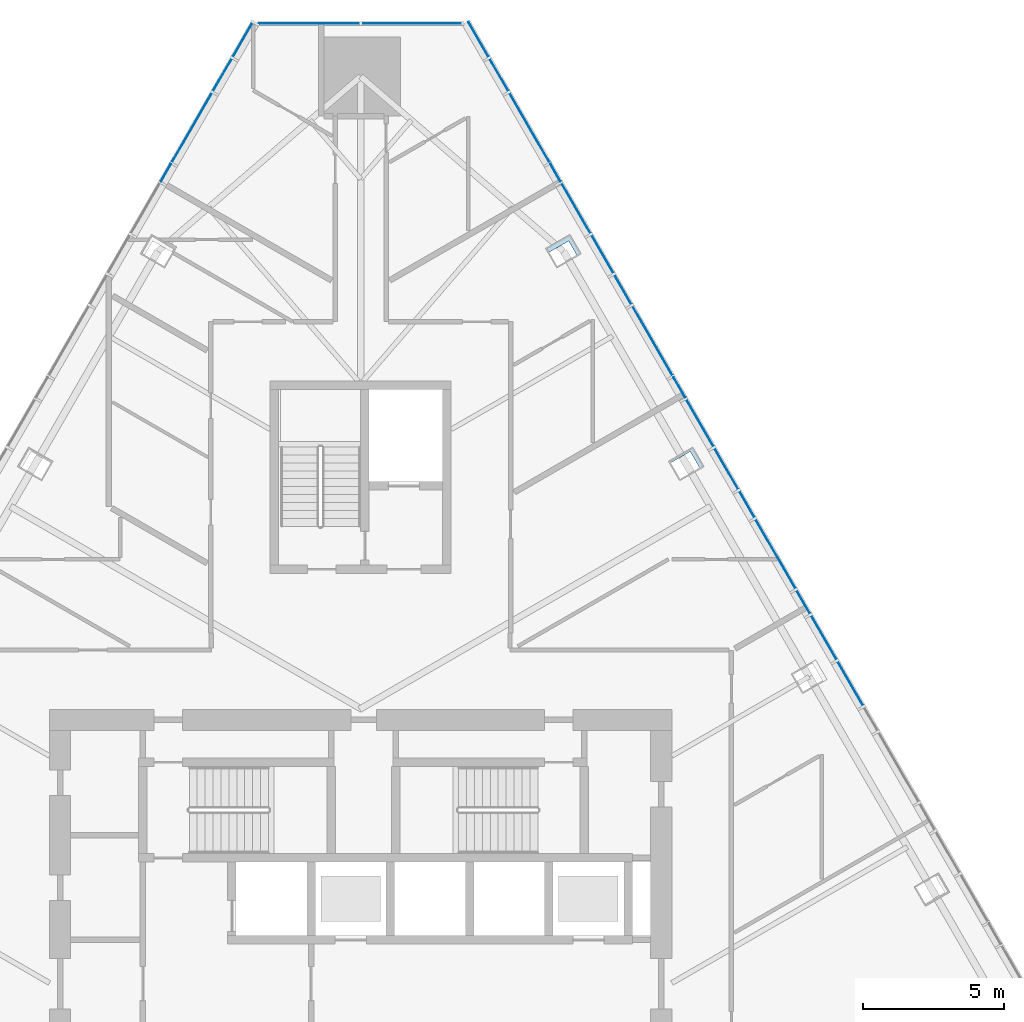
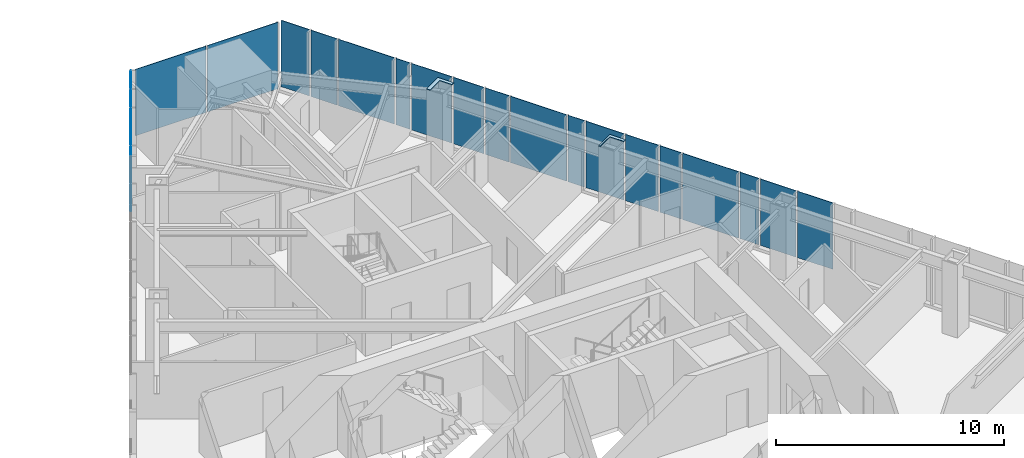
# One storey, part 14 of 24: 24 plates, 3 elements without a shape of their own.
"""IFC4 building model written with IfcOpenShell, lengths in metres."""

from ifc_helpers import new_model, si_unit, direction, frame, origin, place, context, subcontext, project, spatial, polyline, outline, extrude, material, layer, layer_set, type_object, element, aggregate, save


model = new_model("IFC4")

# Units and contexts
model_context = context("Model", 3, precision=1e-05, world=origin(), true_north=direction((0.0, 1.0)))
body_context = subcontext(model_context, "Body", "Model", "MODEL_VIEW")
ifc_project = project(units=[si_unit("LENGTHUNIT", "METRE"), si_unit("AREAUNIT", "SQUARE_METRE"), si_unit("VOLUMEUNIT", "CUBIC_METRE"), si_unit("PLANEANGLEUNIT", "RADIAN"), si_unit("MASSUNIT", "GRAM", prefix="KILO")], contexts=[model_context])

# Site, building, storey
site_placement = place(None, origin())
site = spatial("IfcSite", under=ifc_project, at=site_placement, CompositionType="ELEMENT")
building_placement = place(site_placement, origin())
building = spatial("IfcBuilding", under=site, at=building_placement, Name="Firuza Gate Tower and Library", CompositionType="ELEMENT")
storey_placement = place(building_placement, frame((0.0, 0.0, 194.800048828125)))
storey = spatial("IfcBuildingStorey", under=building, at=storey_placement, Name="L45", CompositionType="ELEMENT", Elevation=194.800048828125)

# Plates
ifc_material_1 = material(Name="Steel S355", Category="steel")
ifc_layer_1 = layer(ifc_material_1, 0.030029296875)
ifc_layer_set_1 = layer_set([ifc_layer_1], Name="Column infill plate 30 Steel S355")
plate_type_1 = type_object("IfcPlateType", Name="Column infill plate 30 Steel S355", PredefinedType="SHEET", material=ifc_layer_set_1)
placement_1 = place(storey_placement, frame((0.0, 0.0, 3.89990234375)))
element("IfcPlate", 1, at=placement_1, inside=storey, type_object=plate_type_1, Name="Infill plate L45:E4", PredefinedType="SHEET", context=body_context, shape_type="SweptSolid", body=[
    extrude(outline(polyline([(85.873291015625, 91.76904296875), (85.91943359375, 91.689453125), (86.647216796875, 92.109619140625), (87.001220703125, 91.49658203125), (87.139404296875, 91.576171875), (86.7392578125, 92.26904296875), (85.873291015625, 91.76904296875)])), origin(), (0.0, 0.0, 1.0), 0.030029296875),
])
element("IfcPlate", 2, at=placement_1, inside=storey, type_object=plate_type_1, Name="Infill plate L45:E5", PredefinedType="SHEET", context=body_context, shape_type="SweptSolid", body=[
    extrude(outline(polyline([(81.530517578125, 99.291259765625), (81.62255859375, 99.1318359375), (82.350341796875, 99.552001953125), (82.658447265625, 99.0185546875), (82.79638671875, 99.098388671875), (82.396484375, 99.791259765625), (81.530517578125, 99.291259765625)])), origin(), (0.0, 0.0, 1.0), 0.030029296875),
])

# Curtain wall, plates
ifc_material_2 = material(Name="Aluminium 6063-T6", Category="aluminium")
ifc_layer_2 = layer(ifc_material_2, 0.14990234375)
ifc_layer_set_2 = layer_set([ifc_layer_2], Name="Corner curtain wall, chamfers")
curtain_wall_type_1 = type_object("IfcCurtainWallType", Name="Corner curtain wall, chamfers", PredefinedType="NOTDEFINED", material=ifc_layer_set_2)
placement_2 = place(storey_placement, origin())
curtain_wall_1 = element("IfcCurtainWall", 3, at=placement_2, inside=storey, type_object=curtain_wall_type_1, Name="CW4 L45 N corner", PredefinedType="NOTDEFINED")
ifc_material_3 = material(Name="Fritted glass", Category="glass")
ifc_layer_3 = layer(ifc_material_3, 0.030029296875)
ifc_layer_set_3 = layer_set([ifc_layer_3], Name="Fritted glass unit, corners")
plate_type_2 = type_object("IfcPlateType", Name="Fritted glass unit, corners", PredefinedType="CURTAIN_PANEL", material=ifc_layer_set_3)
plate_3_placement = place(storey_placement, frame((78.603271484375, 107.2568359375, 0.14990234375), z_axis=(0.0, 1.0, 0.0), x_axis=(-1.0, 0.0, 0.0)))
plate_3 = element("IfcPlate", 4, at=plate_3_placement, type_object=plate_type_2, Name="Glass unit", PredefinedType="CURTAIN_PANEL", context=body_context, shape_type="SweptSolid", body=[
    extrude(outline(polyline([(0.0, 0.0), (3.563232421875, 0.0), (3.563232421875, 3.550048828125), (0.0, 3.550048828125), (0.0, 0.0)])), origin(), (0.0, 0.0, -1.0), 0.030029296875),
])
plate_4_placement = place(storey_placement, frame((74.9599609375, 107.2568359375, 0.14990234375), z_axis=(0.0, 1.0, 0.0), x_axis=(-1.0, 0.0, 0.0)))
plate_4 = element("IfcPlate", 5, at=plate_4_placement, type_object=plate_type_2, Name="Glass unit", PredefinedType="CURTAIN_PANEL", context=body_context, shape_type="SweptSolid", body=[
    extrude(outline(polyline([(0.0, 0.0), (3.563232421875, 0.0), (3.563232421875, 3.550048828125), (0.0, 3.550048828125), (0.0, 0.0)])), origin(), (0.0, 0.0, -1.0), 0.030029296875),
])
aggregate(curtain_wall_1, [plate_3, plate_4])

ifc_material_4 = material(Name="Aluminium 6063-T6", Category="aluminium")
ifc_layer_4 = layer(ifc_material_4, 0.14990234375)
ifc_layer_set_4 = layer_set([ifc_layer_4], Name="Unitised curtain wall, hotel")
curtain_wall_type_2 = type_object("IfcCurtainWallType", Name="Unitised curtain wall, hotel", PredefinedType="NOTDEFINED", material=ifc_layer_set_4)
curtain_wall_2 = element("IfcCurtainWall", 6, at=placement_2, inside=storey, type_object=curtain_wall_type_2, Name="CW2 L45 E face", PredefinedType="NOTDEFINED")
ifc_material_5 = material(Name="Fritted glass", Category="glass")
ifc_layer_5 = layer(ifc_material_5, 0.030029296875)
ifc_layer_set_5 = layer_set([ifc_layer_5], Name="Fritted glass unit, hotel")
plate_type_3 = type_object("IfcPlateType", Name="Fritted glass unit, hotel", PredefinedType="CURTAIN_PANEL", material=ifc_layer_set_5)
plate_5_placement = place(storey_placement, frame((92.769775390625, 83.14404296875, 0.14990234375), z_axis=(0.866038125567, 0.499977964579, 0.0), x_axis=(-0.499977964579, 0.866038125567, 0.0)))
plate_5 = element("IfcPlate", 7, at=plate_5_placement, type_object=plate_type_3, Name="Glass unit", PredefinedType="CURTAIN_PANEL", context=body_context, shape_type="SweptSolid", body=[
    extrude(outline(polyline([(0.0, 0.0), (1.792071165584412, 0.0), (1.792071165584412, 3.550048828125), (0.0, 3.550048828125), (0.0, 0.0)])), origin(), (0.0, 0.0, -1.0), 0.030029296875),
])
plate_6_placement = place(storey_placement, frame((91.833740234375, 84.76513671875, 0.14990234375), z_axis=(0.866038125567, 0.499977964579, 0.0), x_axis=(-0.499977964579, 0.866038125567, 0.0)))
plate_6 = element("IfcPlate", 8, at=plate_6_placement, type_object=plate_type_3, Name="Glass unit", PredefinedType="CURTAIN_PANEL", context=body_context, shape_type="SweptSolid", body=[
    extrude(outline(polyline([(0.0, 0.0), (1.792071165584412, 0.0), (1.792071165584412, 3.550048828125), (0.0, 3.550048828125), (0.0, 0.0)])), origin(), (0.0, 0.0, -1.0), 0.030029296875),
])
plate_7_placement = place(storey_placement, frame((88.35791015625, 90.78564453125, 0.14990234375), z_axis=(0.866010125667, 0.500026461542, 0.0), x_axis=(-0.500026461542, 0.866010125667, 0.0)))
plate_7 = element("IfcPlate", 9, at=plate_7_placement, type_object=plate_type_3, Name="Glass unit", PredefinedType="CURTAIN_PANEL", context=body_context, shape_type="SweptSolid", body=[
    extrude(outline(polyline([(0.0, 0.0), (1.668368736031828, 0.0), (1.668368736031828, 3.550048828125001), (0.0, 3.550048828125001), (0.0, 0.0)])), origin(), (0.0, 0.0, -1.0), 0.030029296875),
])
plate_8_placement = place(storey_placement, frame((87.483642578125, 92.2998046875, 0.14990234375), z_axis=(0.866030650962, 0.499990911512, 0.0), x_axis=(-0.499990911512, 0.866030650962, 0.0)))
plate_8 = element("IfcPlate", 10, at=plate_8_placement, type_object=plate_type_3, Name="Glass unit", PredefinedType="CURTAIN_PANEL", context=body_context, shape_type="SweptSolid", body=[
    extrude(outline(polyline([(0.0, 0.0), (1.9155621628777642, 0.0), (1.9155621628777642, 3.550048828125), (0.0, 3.550048828125), (0.0, 0.0)])), origin(), (0.0, 0.0, -1.0), 0.030029296875),
])
plate_9_placement = place(storey_placement, frame((83.946044921875, 98.427490234375, 0.14990234375), z_axis=(0.865977637699, 0.500082724161, 0.0), x_axis=(-0.500082724161, 0.865977637699, 0.0)))
plate_9 = element("IfcPlate", 11, at=plate_9_placement, type_object=plate_type_3, Name="Glass unit", PredefinedType="CURTAIN_PANEL", context=body_context, shape_type="SweptSolid", body=[
    extrude(outline(polyline([(0.0, 0.0), (1.544666312549146, 0.0), (1.544666312549146, 3.550048828125), (0.0, 3.550048828125), (0.0, 0.0)])), origin(), (0.0, 0.0, -1.0), 0.030029296875),
])
plate_10_placement = place(storey_placement, frame((83.133544921875, 99.83447265625, 0.14990234375), z_axis=(0.866054010271, 0.499950448838, 0.0), x_axis=(-0.499950448838, 0.866054010271, 0.0)))
plate_10 = element("IfcPlate", 12, at=plate_10_placement, type_object=plate_type_3, Name="Glass unit", PredefinedType="CURTAIN_PANEL", context=body_context, shape_type="SweptSolid", body=[
    extrude(outline(polyline([(0.0, 0.0), (2.0392645958615088, 0.0), (2.0392645958615088, 3.550048828125), (0.0, 3.550048828125), (0.0, 0.0)])), origin(), (0.0, 0.0, -1.0), 0.030029296875),
])
plate_11_placement = place(storey_placement, frame((79.533935546875, 106.069091796875, 0.14990234375), z_axis=(0.866056848387, 0.499945532396, 0.0), x_axis=(-0.499945532396, 0.866056848387, 0.0)))
plate_11 = element("IfcPlate", 13, at=plate_11_placement, type_object=plate_type_3, Name="Glass unit", PredefinedType="CURTAIN_PANEL", context=body_context, shape_type="SweptSolid", body=[
    extrude(outline(polyline([(0.0, 0.0), (1.4210532402317053, 0.0), (1.4210532402317053, 3.550048828125), (0.0, 3.550048828125), (0.0, 0.0)])), origin(), (0.0, 0.0, -1.0), 0.030029296875),
])

# Curtain wall, plate
curtain_wall_3 = element("IfcCurtainWall", 14, at=placement_2, inside=storey, type_object=curtain_wall_type_2, Name="CW2 L45 W face", PredefinedType="NOTDEFINED")
plate_12_placement = place(storey_placement, frame((71.176513671875, 107.2998046875, 0.14990234375), z_axis=(-0.866056848387, 0.499945532396, 0.0), x_axis=(-0.499945532396, -0.866056848387, 0.0)))
plate_12 = element("IfcPlate", 15, at=plate_12_placement, type_object=plate_type_3, Name="Glass unit", PredefinedType="CURTAIN_PANEL", context=body_context, shape_type="SweptSolid", body=[
    extrude(outline(polyline([(0.0, 0.0), (1.4210532402317053, 0.0), (1.4210532402317053, 3.550048828125), (0.0, 3.550048828125), (0.0, 0.0)])), origin(), (0.0, 0.0, -1.0), 0.030029296875),
])

# Plate
ifc_material_6 = material(Name="Glazed ceramic tile")
ifc_layer_6 = layer(ifc_material_6, 0.030029296875)
ifc_layer_set_6 = layer_set([ifc_layer_6], Name="Opaque ceramic panel, hotel")
plate_type_4 = type_object("IfcPlateType", Name="Opaque ceramic panel, hotel", PredefinedType="CURTAIN_PANEL", material=ifc_layer_set_6)
plate_13_placement = place(storey_placement, frame((90.89794921875, 86.386474609375, 0.14990234375), z_axis=(0.865984028497, 0.500071657253, 0.0), x_axis=(-0.500071657253, 0.865984028497, 0.0)))
plate_13 = element("IfcPlate", 16, at=plate_13_placement, type_object=plate_type_4, Name="Opaque ceramic panel", PredefinedType="CURTAIN_PANEL", context=body_context, shape_type="SweptSolid", body=[
    extrude(outline(polyline([(0.0, 0.0), (0.9481063101126482, 0.0), (0.9481063101126482, 3.550048828125), (0.0, 3.550048828125), (0.0, 0.0)])), origin(), (0.0, 0.0, -1.0), 0.030029296875),
])

plate_14_placement = place(storey_placement, frame((90.3837890625, 87.27685546875, 0.14990234375), z_axis=(0.866034203951, 0.499984757355, 0.0), x_axis=(-0.499984757355, 0.866034203951, 0.0)))
plate_14 = element("IfcPlate", 17, at=plate_14_placement, type_object=plate_type_4, Name="Opaque ceramic panel", PredefinedType="CURTAIN_PANEL", context=body_context, shape_type="SweptSolid", body=[
    extrude(outline(polyline([(0.0, 0.0), (2.8199101845324175, 0.0), (2.8199101845324175, 3.550048828125001), (0.0, 3.550048828125001), (0.0, 0.0)])), origin(), (0.0, 0.0, -1.0), 0.030029296875),
])

plate_15_placement = place(storey_placement, frame((88.933837890625, 89.788330078125, 0.14990234375), z_axis=(0.866033858845, 0.49998535512, 0.0), x_axis=(-0.49998535512, 0.866033858845, 0.0)))
plate_15 = element("IfcPlate", 18, at=plate_15_placement, type_object=plate_type_4, Name="Opaque ceramic panel", PredefinedType="CURTAIN_PANEL", context=body_context, shape_type="SweptSolid", body=[
    extrude(outline(polyline([(0.0, 0.0), (1.0718087367715181, 0.0), (1.0718087367715181, 3.550048828125), (0.0, 3.550048828125), (0.0, 0.0)])), origin(), (0.0, 0.0, -1.0), 0.030029296875),
])

plate_16_placement = place(storey_placement, frame((86.48583984375, 94.028076171875, 0.14990234375), z_axis=(0.866121492985, 0.499833531678, 0.0), x_axis=(-0.499833531678, 0.866121492985, 0.0)))
plate_16 = element("IfcPlate", 19, at=plate_16_placement, type_object=plate_type_4, Name="Opaque ceramic panel", PredefinedType="CURTAIN_PANEL", context=body_context, shape_type="SweptSolid", body=[
    extrude(outline(polyline([(0.0, 0.0), (0.8244932540168792, 0.0), (0.8244932540168792, 3.550048828125), (0.0, 3.550048828125), (0.0, 0.0)])), origin(), (0.0, 0.0, -1.0), 0.030029296875),
])

plate_17_placement = place(storey_placement, frame((86.03369140625, 94.811279296875, 0.14990234375), z_axis=(0.866055844559, 0.499947271324, 0.0), x_axis=(-0.499947271324, 0.866055844559, 0.0)))
plate_17 = element("IfcPlate", 20, at=plate_17_placement, type_object=plate_type_4, Name="Opaque ceramic panel", PredefinedType="CURTAIN_PANEL", context=body_context, shape_type="SweptSolid", body=[
    extrude(outline(polyline([(0.0, 0.0), (2.820121621306016, 0.0), (2.820121621306016, 3.550048828125), (0.0, 3.550048828125), (0.0, 0.0)])), origin(), (0.0, 0.0, -1.0), 0.030029296875),
])

plate_18_placement = place(storey_placement, frame((84.583740234375, 97.322998046875, 0.14990234375), z_axis=(0.866022320763, 0.500005339912, 0.0), x_axis=(-0.500005339912, 0.866022320763, 0.0)))
plate_18 = element("IfcPlate", 21, at=plate_18_placement, type_object=plate_type_4, Name="Opaque ceramic panel", PredefinedType="CURTAIN_PANEL", context=body_context, shape_type="SweptSolid", body=[
    extrude(outline(polyline([(0.0, 0.0), (1.1952997344089578, 0.0), (1.1952997344089578, 3.5500488281249996), (0.0, 3.5500488281249996), (0.0, 0.0)])), origin(), (0.0, 0.0, -1.0), 0.030029296875),
])

plate_19_placement = place(storey_placement, frame((82.073974609375, 101.669677734375, 0.14990234375), z_axis=(0.86606956535, 0.499923502123, 0.0), x_axis=(-0.499923502123, 0.86606956535, 0.0)))
plate_19 = element("IfcPlate", 22, at=plate_19_placement, type_object=plate_type_4, Name="Opaque ceramic panel", PredefinedType="CURTAIN_PANEL", context=body_context, shape_type="SweptSolid", body=[
    extrude(outline(polyline([(0.0, 0.0), (0.7007908117690285, 0.0), (0.7007908117690285, 3.550048828125), (0.0, 3.550048828125), (0.0, 0.0)])), origin(), (0.0, 0.0, -1.0), 0.030029296875),
])

plate_20_placement = place(storey_placement, frame((81.68359375, 102.345947265625, 0.14990234375), z_axis=(0.86601836006, 0.500012199891, 0.0), x_axis=(-0.500012199891, 0.86601836006, 0.0)))
plate_20 = element("IfcPlate", 23, at=plate_20_placement, type_object=plate_type_4, Name="Opaque ceramic panel", PredefinedType="CURTAIN_PANEL", context=body_context, shape_type="SweptSolid", body=[
    extrude(outline(polyline([(0.0, 0.0), (2.8202436866713265, 0.0), (2.8202436866713265, 3.550048828125), (0.0, 3.550048828125), (0.0, 0.0)])), origin(), (0.0, 0.0, -1.0), 0.030029296875),
])

plate_21_placement = place(storey_placement, frame((80.233642578125, 104.857421875, 0.14990234375), z_axis=(0.865979071295, 0.500080241641, 0.0), x_axis=(-0.500080241641, 0.865979071295, 0.0)))
plate_21 = element("IfcPlate", 24, at=plate_21_placement, type_object=plate_type_4, Name="Opaque ceramic panel", PredefinedType="CURTAIN_PANEL", context=body_context, shape_type="SweptSolid", body=[
    extrude(outline(polyline([(0.0, 0.0), (1.3191242401126644, 0.0), (1.3191242401126644, 3.550048828125), (0.0, 3.550048828125), (0.0, 0.0)])), origin(), (0.0, 0.0, -1.0), 0.030029296875),
])

aggregate(curtain_wall_2, [plate_5, plate_6, plate_13, plate_14, plate_15, plate_7, plate_8, plate_16, plate_17, plate_18, plate_9, plate_10, plate_19, plate_20, plate_21, plate_11])

plate_22_placement = place(storey_placement, frame((70.426025390625, 105.999755859375, 0.14990234375), z_axis=(-0.865979071295, 0.500080241641, 0.0), x_axis=(-0.500080241641, -0.865979071295, 0.0)))
plate_22 = element("IfcPlate", 25, at=plate_22_placement, type_object=plate_type_4, Name="Opaque ceramic panel", PredefinedType="CURTAIN_PANEL", context=body_context, shape_type="SweptSolid", body=[
    extrude(outline(polyline([(0.0, 0.0), (1.3191242401126644, 0.0), (1.3191242401126644, 3.550048828125), (0.0, 3.550048828125), (0.0, 0.0)])), origin(), (0.0, 0.0, -1.0), 0.030029296875),
])

plate_23_placement = place(storey_placement, frame((69.7265625, 104.788330078125, 0.14990234375), z_axis=(-0.86601836006, 0.500012199891, 0.0), x_axis=(-0.500012199891, -0.86601836006, 0.0)))
plate_23 = element("IfcPlate", 26, at=plate_23_placement, type_object=plate_type_4, Name="Opaque ceramic panel", PredefinedType="CURTAIN_PANEL", context=body_context, shape_type="SweptSolid", body=[
    extrude(outline(polyline([(0.0, 0.0), (2.8202436866713265, 0.0), (2.8202436866713265, 3.550048828125), (0.0, 3.550048828125), (0.0, 0.0)])), origin(), (0.0, 0.0, -1.0), 0.030029296875),
])

plate_24_placement = place(storey_placement, frame((68.2763671875, 102.276611328125, 1.96484375), z_axis=(-0.86606956535, 0.499923502123, 0.0), x_axis=(-0.499923502123, -0.86606956535, 0.0)))
plate_24 = element("IfcPlate", 27, at=plate_24_placement, type_object=plate_type_4, Name="Opaque ceramic panel", PredefinedType="CURTAIN_PANEL", context=body_context, shape_type="SweptSolid", body=[
    extrude(outline(polyline([(0.0, 0.0), (0.7007908117690285, 0.0), (0.7007908117690285, 1.735107421875), (0.0, 1.735107421875), (0.0, 0.0)])), origin(), (0.0, 0.0, -1.0), 0.030029296875),
])

aggregate(curtain_wall_3, [plate_12, plate_22, plate_23, plate_24])

save(model, "model.ifc")
